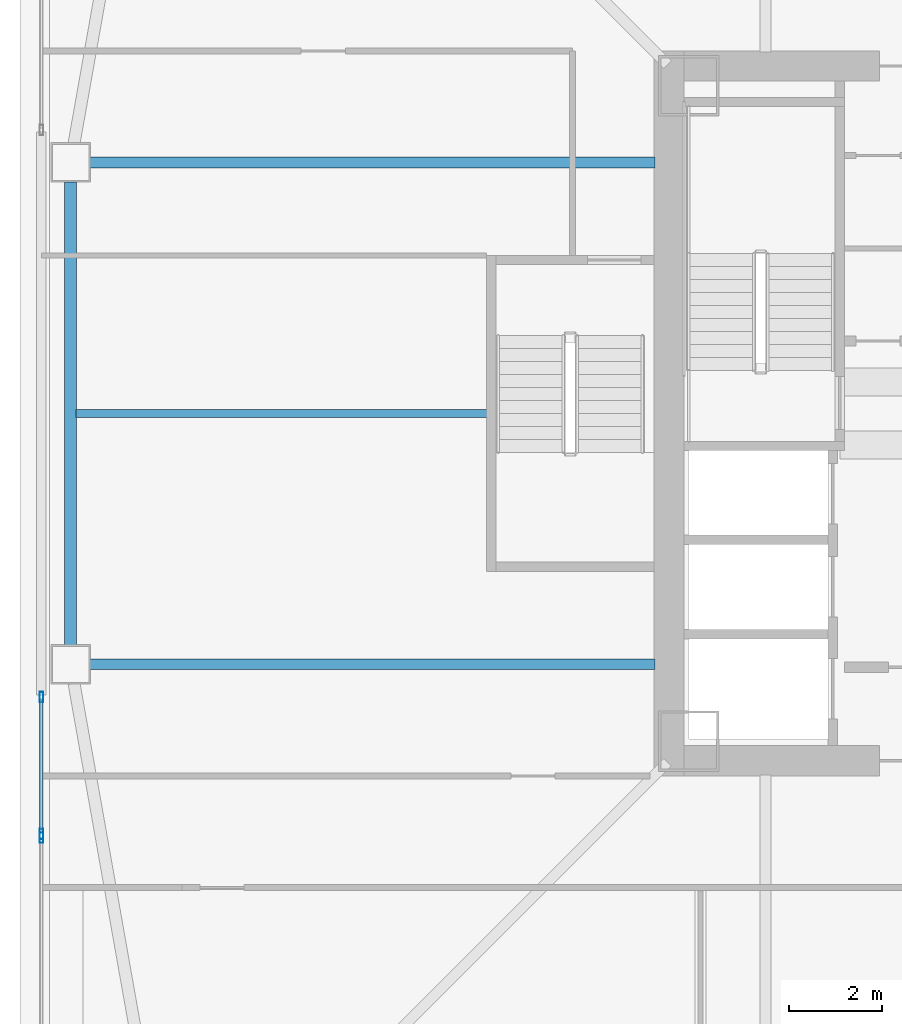
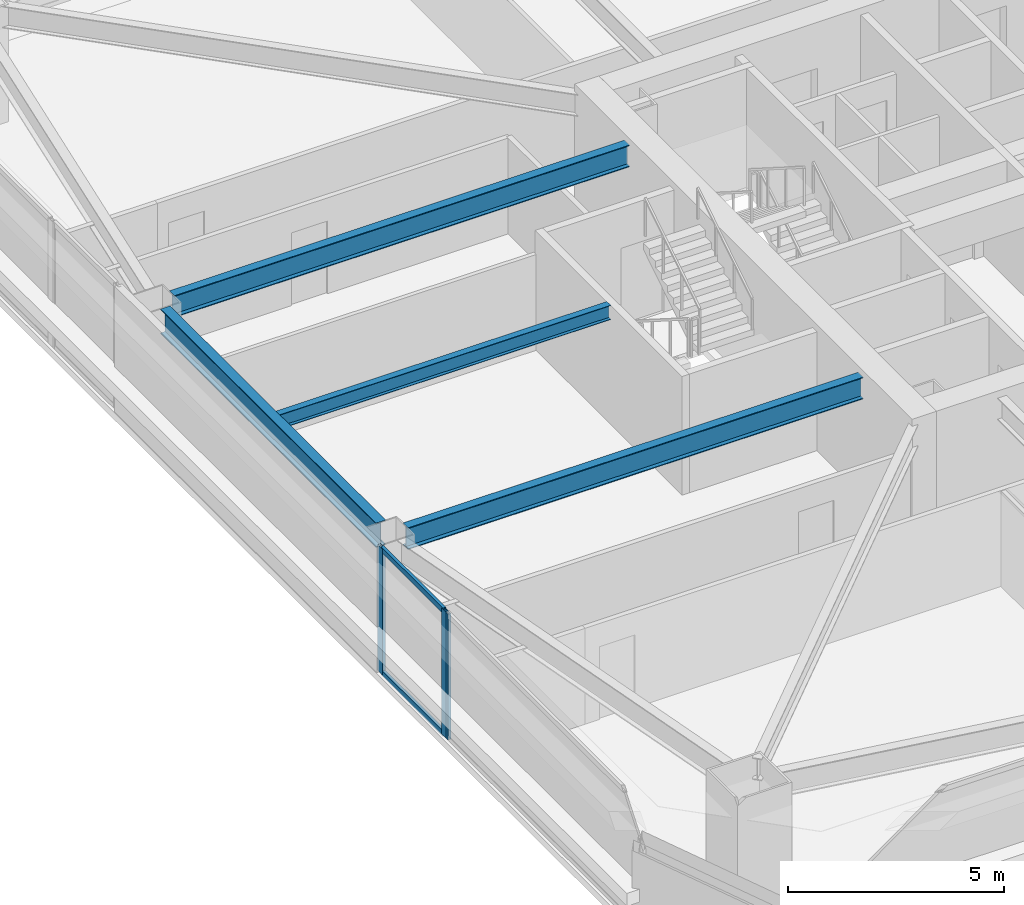
# One storey, part 6 of 44: 5 members, 4 beams, 2 elements without a shape of their own.
"""IFC4 building model written with IfcOpenShell, lengths in metres."""

from ifc_helpers import new_model, si_unit, direction, frame, origin, origin_2d, place, context, subcontext, project, spatial, hollow_rectangle, i_section, extrude, material, material_profile, profile_set, type_object, element, aggregate, save


model = new_model("IFC4")

# Units and contexts
model_context = context("Model", 3, precision=1e-05, world=origin(), true_north=direction((0.0, 1.0)))
body_context = subcontext(model_context, "Body", "Model", "MODEL_VIEW")
ifc_project = project(units=[si_unit("LENGTHUNIT", "METRE"), si_unit("AREAUNIT", "SQUARE_METRE"), si_unit("VOLUMEUNIT", "CUBIC_METRE"), si_unit("PLANEANGLEUNIT", "RADIAN"), si_unit("MASSUNIT", "GRAM", prefix="KILO")], contexts=[model_context])

# Site, building, storey
site_placement = place(None, origin())
site = spatial("IfcSite", under=ifc_project, at=site_placement, CompositionType="ELEMENT")
building_placement = place(site_placement, origin())
building = spatial("IfcBuilding", under=site, at=building_placement, Name="Tashvorn Skyway Center", CompositionType="ELEMENT")
storey_placement = place(building_placement, frame((0.0, 0.0, 102.699951171875)))
storey = spatial("IfcBuildingStorey", under=building, at=storey_placement, Name="L27", CompositionType="ELEMENT", Elevation=102.699951171875)

# Beams
ifc_material_1 = material(Name="Steel ASTM A992 Grade 50", Category="steel")
ifc_material_profile_1 = material_profile(ifc_material_1, i_section(OverallWidth=0.22998046875, OverallDepth=0.616943359375, WebThickness=0.01318359375, FlangeThickness=0.022216796875, at=origin_2d()), Name="W24X94")
ifc_profile_set_1 = profile_set([ifc_material_profile_1], Name="Steel ASTM A992 Grade 50")
beam_type_1 = type_object("IfcBeamType", Name="BM-BEAM-W24X94", PredefinedType="BEAM", material=ifc_profile_set_1)
for number, where, z_axis, x_axis, name in (
    (1, (22.070068359375, 37.39990234375, 3.04150390625), (1.0, 0.0, 0.0), (0.0, 1.0, 0.0), "Tower 1 L27 Primary Floor Girder FC-W1"),
    (2, (22.070068359375, 26.60009765625, 3.04150390625), (1.0, 0.0, 0.0), (0.0, 1.0, 0.0), "Tower 1 L27 Primary Floor Girder FC-W2"),
):
    element("IfcBeam", number, at=place(storey_placement, frame(where, z_axis=z_axis, x_axis=x_axis)), inside=storey, type_object=beam_type_1, Name=name, PredefinedType="BEAM", context=body_context, shape_type="SweptSolid", body=[
        extrude(i_section(OverallWidth=0.22998046875, OverallDepth=0.616943359375, WebThickness=0.01318359375, FlangeThickness=0.022216796875, at=origin_2d()), origin(), (0.0, 0.0, 1.0), 12.14990234375),
    ])
ifc_material_profile_2 = material_profile(ifc_material_1, i_section(OverallWidth=0.177978515625, OverallDepth=0.406005859375, WebThickness=0.0078125, FlangeThickness=0.0126953125, at=origin_2d()), Name="W16X40")
ifc_profile_set_2 = profile_set([ifc_material_profile_2], Name="Steel ASTM A992 Grade 50")
beam_type_2 = type_object("IfcBeamType", Name="BM-JOIST-W16X40", PredefinedType="JOIST", material=ifc_profile_set_2)
beam_1_placement = place(storey_placement, frame((30.610107421875, 32.0, 3.14697265625), z_axis=(-1.0, 0.0, 0.0), x_axis=(0.0, -1.0, 0.0)))
element("IfcBeam", 3, at=beam_1_placement, inside=storey, type_object=beam_type_2, Name="Tower 1 L27 Secondary Composite Joist JW", PredefinedType="JOIST", context=body_context, shape_type="SweptSolid", body=[
    extrude(i_section(OverallWidth=0.177978515625, OverallDepth=0.406005859375, WebThickness=0.0078125, FlangeThickness=0.0126953125, at=origin_2d()), origin(), (0.0, 0.0, 1.0), 8.840087890625),
])
ifc_material_profile_3 = material_profile(ifc_material_1, i_section(OverallWidth=0.256103515625, OverallDepth=0.693115234375, WebThickness=0.014404296875, FlangeThickness=0.023681640625, at=origin_2d()), Name="W27X114")
ifc_profile_set_3 = profile_set([ifc_material_profile_3], Name="Steel ASTM A992 Grade 50")
beam_type_3 = type_object("IfcBeamType", Name="BM-SPANDREL-W27X114", PredefinedType="SPANDREL", material=ifc_profile_set_3)
beam_2_placement = place(storey_placement, frame((21.64990234375, 36.97998046875, 3.003662109375), z_axis=(0.0, -1.0, 0.0), x_axis=(1.0, 0.0, 0.0)))
element("IfcBeam", 4, at=beam_2_placement, inside=storey, type_object=beam_type_3, Name="Tower 1 L27 Spandrel Beam 11", PredefinedType="SPANDREL", context=body_context, shape_type="SweptSolid", body=[
    extrude(i_section(OverallWidth=0.256103515625, OverallDepth=0.693115234375, WebThickness=0.014404296875, FlangeThickness=0.023681640625, at=origin_2d()), origin(), (0.0, 0.0, 1.0), 9.9599609375),
])

# Curtain wall, member
ifc_material_2 = material(Name="Thermally broken bronze-anodized aluminium 6063-T6", Category="aluminium")
curtain_wall_type = type_object("IfcCurtainWallType", Name="CW-CW-Z2", PredefinedType="NOTDEFINED", material=ifc_material_2)
curtain_wall_1_placement = place(storey_placement, origin())
curtain_wall_1 = element("IfcCurtainWall", 5, at=curtain_wall_1_placement, inside=storey, type_object=curtain_wall_type, Name="Tower 1 L27 West Unitised Curtain Wall Glazing Group 1", PredefinedType="NOTDEFINED")
ifc_material_profile_4 = material_profile(ifc_material_2, hollow_rectangle(XDim=0.080078125, YDim=0.219970703125, WallThickness=0.0048828125, at=origin_2d()), Name="ALU-MULL-80x220")
ifc_profile_set_4 = profile_set([ifc_material_profile_4], Name="Thermally broken bronze-anodized aluminium 6063-T6")
member_type_1 = type_object("IfcMemberType", Name="CWM-CW-Z2", PredefinedType="MULLION", material=ifc_profile_set_4)
member_1_placement = place(storey_placement, frame((21.02001953125, 22.8701171875, 0.0), z_axis=(0.0, 0.0, 1.0), x_axis=(-1.0, 0.0, 0.0)))
member_1 = element("IfcMember", 6, at=member_1_placement, type_object=member_type_1, Name="CW-Z2 mullion 2", PredefinedType="MULLION", context=body_context, shape_type="SweptSolid", body=[
    extrude(hollow_rectangle(XDim=0.080078125, YDim=0.219970703125, WallThickness=0.0048828125, at=origin_2d()), origin(), (0.0, 0.0, 1.0), 3.550048828125),
])
aggregate(curtain_wall_1, [member_1])

# Curtain wall, members
curtain_wall_2_placement = place(storey_placement, origin())
curtain_wall_2 = element("IfcCurtainWall", 7, at=curtain_wall_2_placement, inside=storey, type_object=curtain_wall_type, Name="Tower 1 L27 West Unitised Curtain Wall Glazing Group 2", PredefinedType="NOTDEFINED")
member_2_placement = place(storey_placement, frame((21.02001953125, 22.949951171875, 0.0), z_axis=(0.0, 0.0, 1.0), x_axis=(-1.0, 0.0, 0.0)))
member_2 = element("IfcMember", 8, at=member_2_placement, type_object=member_type_1, Name="CW-Z2 mullion 1", PredefinedType="MULLION", context=body_context, shape_type="SweptSolid", body=[
    extrude(hollow_rectangle(XDim=0.080078125, YDim=0.219970703125, WallThickness=0.0048828125, at=origin_2d()), origin(), (0.0, 0.0, 1.0), 3.550048828125),
])
member_3_placement = place(storey_placement, frame((21.02001953125, 25.89990234375, 0.0), z_axis=(0.0, 0.0, 1.0), x_axis=(-1.0, 0.0, 0.0)))
member_3 = element("IfcMember", 9, at=member_3_placement, type_object=member_type_1, Name="CW-Z2 mullion 2", PredefinedType="MULLION", context=body_context, shape_type="SweptSolid", body=[
    extrude(hollow_rectangle(XDim=0.080078125, YDim=0.219970703125, WallThickness=0.0048828125, at=origin_2d()), origin(), (0.0, 0.0, 1.0), 3.550048828125),
])
ifc_material_profile_5 = material_profile(ifc_material_2, hollow_rectangle(XDim=0.080078125, YDim=0.14990234375, WallThickness=0.00439453125, at=origin_2d()), Name="ALU-TRAN-80x150")
ifc_profile_set_5 = profile_set([ifc_material_profile_5], Name="Thermally broken bronze-anodized aluminium 6063-T6")
member_type_2 = type_object("IfcMemberType", Name="CWT-CW-Z2", PredefinedType="USERDEFINED", material=ifc_profile_set_5)
member_4_placement = place(storey_placement, frame((21.02001953125, 22.989990234375, 0.0400390625), z_axis=(0.0, 1.0, 0.0), x_axis=(-1.0, 0.0, 0.0)))
member_4 = element("IfcMember", 10, at=member_4_placement, type_object=member_type_2, Name="CW-Z2 transom 1.1", ObjectType="TRANSOM", PredefinedType="USERDEFINED", context=body_context, shape_type="SweptSolid", body=[
    extrude(hollow_rectangle(XDim=0.080078125, YDim=0.14990234375, WallThickness=0.00439453125, at=origin_2d()), origin(), (0.0, 0.0, 1.0), 2.8701171875),
])
member_5_placement = place(storey_placement, frame((21.02001953125, 22.989990234375, 3.510009765625), z_axis=(0.0, 1.0, 0.0), x_axis=(-1.0, 0.0, 0.0)))
member_5 = element("IfcMember", 11, at=member_5_placement, type_object=member_type_2, Name="CW-Z2 transom 1.2", ObjectType="TRANSOM", PredefinedType="USERDEFINED", context=body_context, shape_type="SweptSolid", body=[
    extrude(hollow_rectangle(XDim=0.080078125, YDim=0.14990234375, WallThickness=0.00439453125, at=origin_2d()), origin(), (0.0, 0.0, 1.0), 2.8701171875),
])
aggregate(curtain_wall_2, [member_2, member_3, member_4, member_5])

save(model, "model.ifc")
